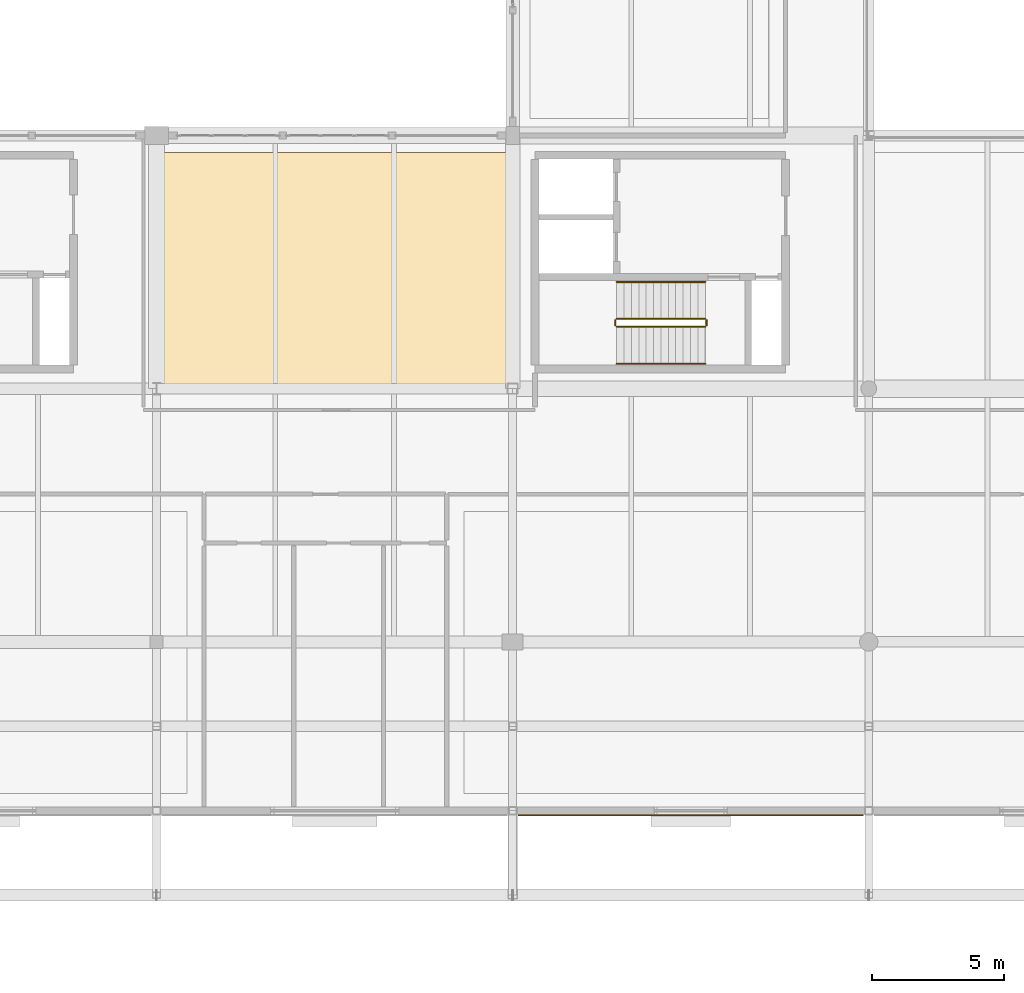
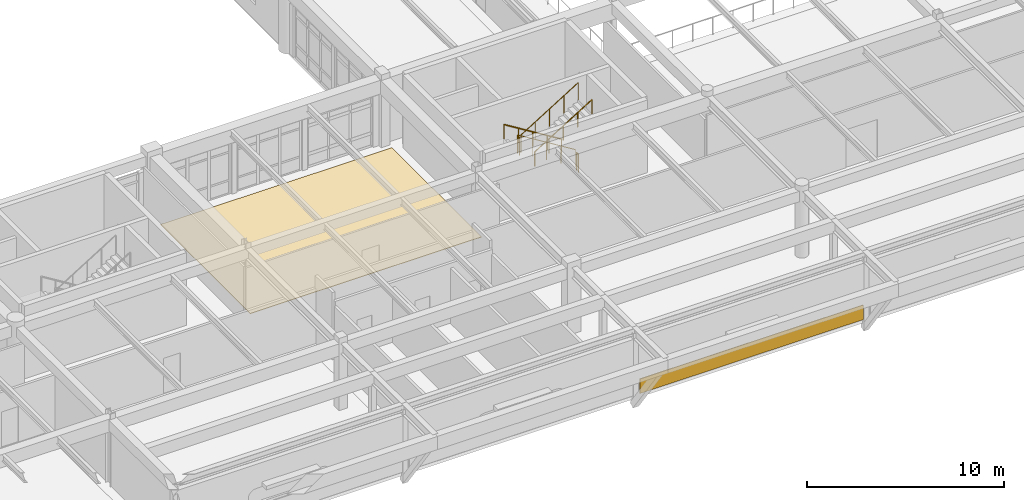
# One storey, part 73 of 80: 6 railings, 2 coverings.
"""IFC4 building model written with IfcOpenShell, lengths in metres."""

from ifc_helpers import new_model, si_unit, direction, frame, origin, origin_2d, place, context, subcontext, project, spatial, polyline, rectangle, circle, outline, extrude, material, layer, layer_set, type_object, element, save


model = new_model("IFC4")

# Units and contexts
model_context = context("Model", 3, precision=1e-05, world=origin(), true_north=direction((0.0, 1.0)))
body_context = subcontext(model_context, "Body", "Model", "MODEL_VIEW")
ifc_project = project(units=[si_unit("LENGTHUNIT", "METRE"), si_unit("AREAUNIT", "SQUARE_METRE"), si_unit("VOLUMEUNIT", "CUBIC_METRE"), si_unit("PLANEANGLEUNIT", "RADIAN"), si_unit("MASSUNIT", "GRAM", prefix="KILO")], contexts=[model_context])

# Site, building, storey
site_placement = place(None, origin())
site = spatial("IfcSite", under=ifc_project, at=site_placement, CompositionType="ELEMENT")
building_placement = place(site_placement, origin())
building = spatial("IfcBuilding", under=site, at=building_placement, Name="Fikremerkos Civic Library", CompositionType="ELEMENT")
storey_placement = place(building_placement, frame((0.0, 0.0, 9.89990234375)))
storey = spatial("IfcBuildingStorey", under=building, at=storey_placement, Name="L02", CompositionType="ELEMENT", Elevation=9.89990234375)

# Railings
ifc_material_1 = material(Name="Painted Steel S275", Category="steel")
railing_type_1 = type_object("IfcRailingType", Name="Interior balustrade guard RLG-INT 1100", PredefinedType="BALUSTRADE", material=ifc_material_1)
railing_1_placement = place(storey_placement, frame((53.5, 24.25, 0.173095703125)))
element("IfcRailing", 1, at=railing_1_placement, inside=storey, type_object=railing_type_1, Name="L02 ST-K3 stair guard 1", PredefinedType="BALUSTRADE", context=body_context, shape_type="SweptSolid", body=[
    extrude(circle(Radius=0.02392578125, at=origin_2d()), frame((0.0, 0.0, 1.076171875), z_axis=(-0.850623216509, 0.0, 0.525775754039), x_axis=(0.0, -1.0, 0.0)), (0.0, 0.0, 1.0), 3.9501953125),
    extrude(circle(Radius=0.02099609375, at=origin_2d()), origin(), (0.0, 0.0, 1.0), 1.052001953125),
    extrude(circle(Radius=0.02099609375, at=origin_2d()), frame((-0.840087890625, 0.0, 0.519287109375)), (0.0, 0.0, 1.0), 1.052001953125),
    extrude(circle(Radius=0.02099609375, at=origin_2d()), frame((-1.68017578125, 0.0, 1.03857421875)), (0.0, 0.0, 1.0), 1.052001953125),
    extrude(circle(Radius=0.02099609375, at=origin_2d()), frame((-2.52001953125, 0.0, 1.5576171875)), (0.0, 0.0, 1.0), 1.052001953125),
    extrude(circle(Radius=0.02099609375, at=origin_2d()), frame((-3.360107421875, 0.0, 2.076904296875)), (0.0, 0.0, 1.0), 1.052001953125),
])
railing_2_placement = place(storey_placement, frame((50.090087890625, 24.199951171875, 2.25)))
element("IfcRailing", 2, at=railing_2_placement, inside=storey, type_object=railing_type_1, Name="L02 ST-K3 stair guard 2", PredefinedType="BALUSTRADE", context=body_context, shape_type="SweptSolid", body=[
    extrude(circle(Radius=0.02392578125, at=origin_2d()), frame((0.0, 0.0, 1.076171875), z_axis=(0.0, -1.0, 0.0), x_axis=(1.0, 0.0, 0.0)), (0.0, 0.0, 1.0), 0.199951171875),
    extrude(circle(Radius=0.02099609375, at=origin_2d()), origin(), (0.0, 0.0, 1.0), 1.052001953125),
    extrude(circle(Radius=0.02099609375, at=origin_2d()), frame((0.0, -0.199951171875, 0.0)), (0.0, 0.0, 1.0), 1.052001953125),
])
railing_3_placement = place(storey_placement, frame((50.139892578125, 23.949951171875, 2.423095703125)))
element("IfcRailing", 3, at=railing_3_placement, inside=storey, type_object=railing_type_1, Name="L02 ST-K3 stair guard 3", PredefinedType="BALUSTRADE", context=body_context, shape_type="SweptSolid", body=[
    extrude(circle(Radius=0.02392578125, at=origin_2d()), frame((0.0, 0.0, 1.076171875), z_axis=(0.850623216509, 0.0, 0.525775754039), x_axis=(0.0, 1.0, 0.0)), (0.0, 0.0, 1.0), 3.9501953125),
    extrude(circle(Radius=0.02099609375, at=origin_2d()), origin(), (0.0, 0.0, 1.0), 1.052001953125),
    extrude(circle(Radius=0.02099609375, at=origin_2d()), frame((0.840087890625, 0.0, 0.519287109375)), (0.0, 0.0, 1.0), 1.052001953125),
    extrude(circle(Radius=0.02099609375, at=origin_2d()), frame((1.68017578125, 0.0, 1.03857421875)), (0.0, 0.0, 1.0), 1.052001953125),
    extrude(circle(Radius=0.02099609375, at=origin_2d()), frame((2.52001953125, 0.0, 1.5576171875)), (0.0, 0.0, 1.0), 1.052001953125),
    extrude(circle(Radius=0.02099609375, at=origin_2d()), frame((3.360107421875, 0.0, 2.076904296875)), (0.0, 0.0, 1.0), 1.052001953125),
])
railing_4_placement = place(storey_placement, frame((53.550048828125, 24.199951171875, 0.0)))
element("IfcRailing", 4, at=railing_4_placement, inside=storey, type_object=railing_type_1, Name="L02 ST-K3 stair guard 4", PredefinedType="BALUSTRADE", context=body_context, shape_type="SweptSolid", body=[
    extrude(circle(Radius=0.02392578125, at=origin_2d()), frame((0.0, 0.0, 1.076171875), z_axis=(0.0, -1.0, 0.0), x_axis=(1.0, 0.0, 0.0)), (0.0, 0.0, 1.0), 0.199951171875),
    extrude(circle(Radius=0.02099609375, at=origin_2d()), origin(), (0.0, 0.0, 1.0), 1.052001953125),
    extrude(circle(Radius=0.02099609375, at=origin_2d()), frame((0.0, -0.199951171875, 0.0)), (0.0, 0.0, 1.0), 1.052001953125),
])

# Coverings
ifc_material_2 = material(Name="Polished basalt terrazzo", Category="masonry")
ifc_layer_1 = layer(ifc_material_2, 0.030029296875, Name="Polished basalt terrazzo")
ifc_layer_set_1 = layer_set([ifc_layer_1], Name="Polished basalt terrazzo")
covering_type_1 = type_object("IfcCoveringType", Name="Polished basalt terrazzo flooring FLR-01", PredefinedType="FLOORING", material=ifc_layer_set_1)
covering_1_placement = place(storey_placement, origin())
element("IfcCovering", 5, at=covering_1_placement, inside=storey, type_object=covering_type_1, Name="Terrazzo floor finish Group Study Rooms L02", PredefinedType="FLOORING", context=body_context, shape_type="SweptSolid", body=[
    extrude(outline(polyline([(32.85009765625, 30.550048828125), (46.39990234375, 30.550048828125), (46.39990234375, 21.449951171875), (32.85009765625, 21.449951171875), (32.85009765625, 30.550048828125)])), origin(), (0.0, 0.0, 1.0), 0.030029296875),
])
ifc_material_3 = material(Name="Precast concrete C40/50", Category="concrete")
ifc_layer_2 = layer(ifc_material_3, 0.044921875, Name="Precast concrete C40/50")
ifc_layer_set_2 = layer_set([ifc_layer_2], Name="Precast concrete C40/50")
covering_type_2 = type_object("IfcCoveringType", Name="Precast basalt facade cladding CLD-01", PredefinedType="CLADDING", material=ifc_layer_set_2)
covering_2_placement = place(storey_placement, frame((52.949951171875, 5.427978515625, 0.050048828125), z_axis=(0.0, 0.0, 1.0), x_axis=(1.0, 0.0, 0.0)))
element("IfcCovering", 6, at=covering_2_placement, inside=storey, type_object=covering_type_2, Name="Basalt spandrel cladding CLD-01 L02 #12", PredefinedType="CLADDING", context=body_context, shape_type="SweptSolid", body=[
    extrude(rectangle(XDim=13.095947265625, YDim=0.044921875, at=origin_2d()), origin(), (0.0, 0.0, 1.0), 0.89990234375),
])

# Railings
ifc_material_4 = material(Name="Brushed stainless steel", Category="steel")
railing_type_2 = type_object("IfcRailingType", Name="Wall and flight handrail HRL-01 900", PredefinedType="HANDRAIL", material=ifc_material_4)
railing_5_placement = place(storey_placement, frame((53.5, 25.64990234375, 0.173095703125)))
element("IfcRailing", 7, at=railing_5_placement, inside=storey, type_object=railing_type_2, Name="L02 ST-K3 stair handrail 1", PredefinedType="HANDRAIL", context=body_context, shape_type="SweptSolid", body=[
    extrude(circle(Radius=0.02392578125, at=origin_2d()), frame((0.0, 0.0, 0.8759765625), z_axis=(-0.850623216509, 0.0, 0.525775754039), x_axis=(0.0, -1.0, 0.0)), (0.0, 0.0, 1.0), 3.9501953125),
    extrude(circle(Radius=0.02099609375, at=origin_2d()), origin(), (0.0, 0.0, 1.0), 0.851806640625),
    extrude(circle(Radius=0.02099609375, at=origin_2d()), frame((-0.840087890625, 0.0, 0.519287109375)), (0.0, 0.0, 1.0), 0.851806640625),
    extrude(circle(Radius=0.02099609375, at=origin_2d()), frame((-1.68017578125, 0.0, 1.03857421875)), (0.0, 0.0, 1.0), 0.851806640625),
    extrude(circle(Radius=0.02099609375, at=origin_2d()), frame((-2.52001953125, 0.0, 1.5576171875)), (0.0, 0.0, 1.0), 0.851806640625),
    extrude(circle(Radius=0.02099609375, at=origin_2d()), frame((-3.360107421875, 0.0, 2.076904296875)), (0.0, 0.0, 1.0), 0.851806640625),
])
railing_6_placement = place(storey_placement, frame((50.139892578125, 22.550048828125, 2.423095703125)))
element("IfcRailing", 8, at=railing_6_placement, inside=storey, type_object=railing_type_2, Name="L02 ST-K3 stair handrail 2", PredefinedType="HANDRAIL", context=body_context, shape_type="SweptSolid", body=[
    extrude(circle(Radius=0.02392578125, at=origin_2d()), frame((0.0, 0.0, 0.8759765625), z_axis=(0.850623216509, 0.0, 0.525775754039), x_axis=(0.0, 1.0, 0.0)), (0.0, 0.0, 1.0), 3.9501953125),
    extrude(circle(Radius=0.02099609375, at=origin_2d()), origin(), (0.0, 0.0, 1.0), 0.851806640625),
    extrude(circle(Radius=0.02099609375, at=origin_2d()), frame((0.840087890625, 0.0, 0.519287109375)), (0.0, 0.0, 1.0), 0.851806640625),
    extrude(circle(Radius=0.02099609375, at=origin_2d()), frame((1.68017578125, 0.0, 1.03857421875)), (0.0, 0.0, 1.0), 0.851806640625),
    extrude(circle(Radius=0.02099609375, at=origin_2d()), frame((2.52001953125, 0.0, 1.5576171875)), (0.0, 0.0, 1.0), 0.851806640625),
    extrude(circle(Radius=0.02099609375, at=origin_2d()), frame((3.360107421875, 0.0, 2.076904296875)), (0.0, 0.0, 1.0), 0.851806640625),
])

save(model, "model.ifc")
